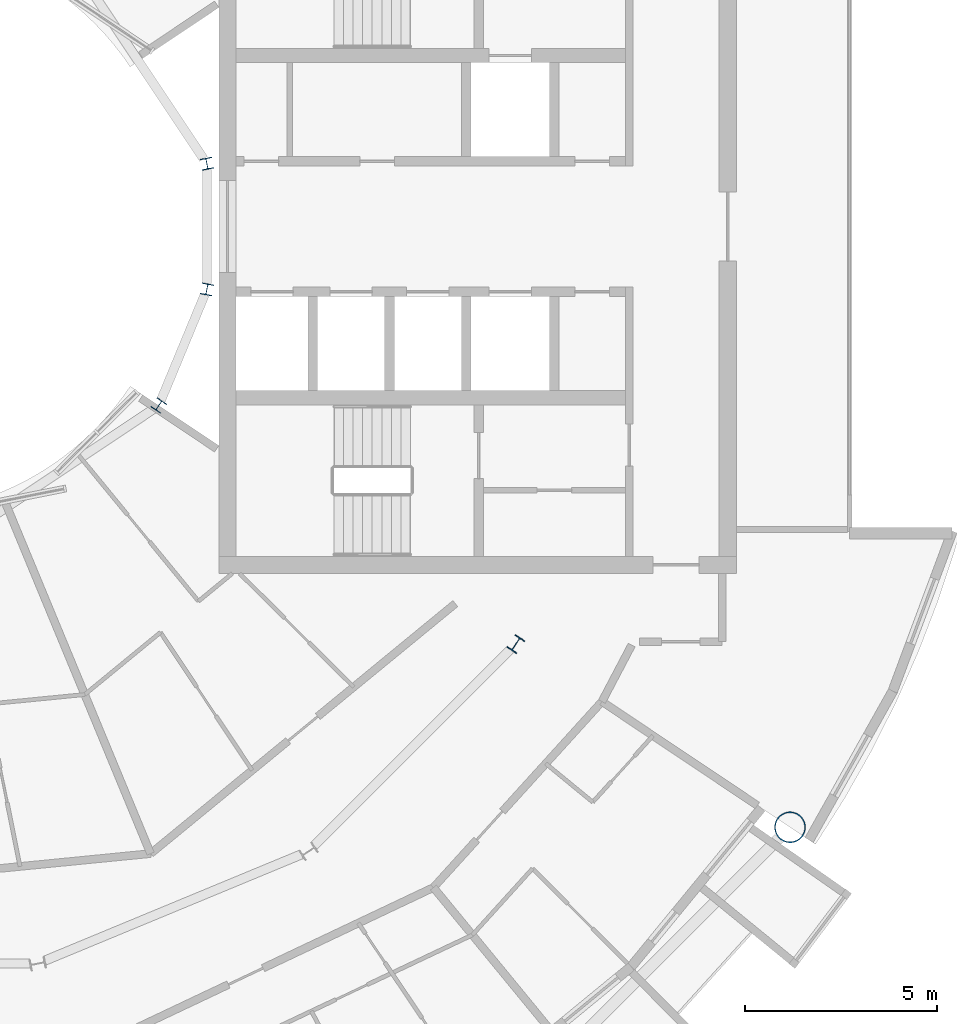
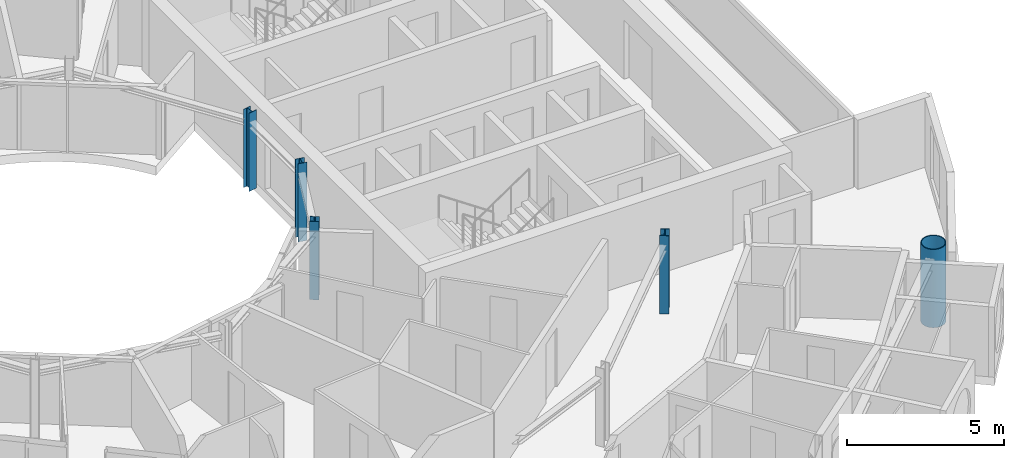
# One storey, part 3 of 29: 5 columns.
"""IFC4 building model written with IfcOpenShell, lengths in metres."""

from ifc_helpers import new_model, si_unit, direction, frame, origin, origin_2d, place, context, subcontext, project, spatial, hollow_circle, i_section, extrude, material, material_profile, profile_set, type_object, element, save


model = new_model("IFC4")

# Units and contexts
model_context = context("Model", 3, precision=1e-05, world=origin(), true_north=direction((0.0, 1.0)))
body_context = subcontext(model_context, "Body", "Model", "MODEL_VIEW")
ifc_project = project(units=[si_unit("LENGTHUNIT", "METRE"), si_unit("AREAUNIT", "SQUARE_METRE"), si_unit("VOLUMEUNIT", "CUBIC_METRE"), si_unit("PLANEANGLEUNIT", "RADIAN"), si_unit("MASSUNIT", "GRAM", prefix="KILO")], contexts=[model_context])

# Site, building, storey
site_placement = place(None, origin())
site = spatial("IfcSite", under=ifc_project, at=site_placement, CompositionType="ELEMENT")
building_placement = place(site_placement, origin())
building = spatial("IfcBuilding", under=site, at=building_placement, Name="Maasbend Ring Residences", CompositionType="ELEMENT")
storey_placement = place(building_placement, frame((0.0, 0.0, 215.75)))
storey = spatial("IfcBuildingStorey", under=building, at=storey_placement, Name="L62", CompositionType="ELEMENT", Elevation=215.75)

# Columns
ifc_material_1 = material(Name="Composite concrete-filled steel tube S460NH / C80/95", Category="concrete")
ifc_material_profile_1 = material_profile(ifc_material_1, hollow_circle(Radius=0.406494140625, WallThickness=0.030029296875, at=origin_2d()), Name="Composite tube column CHS 813x30")
ifc_profile_set_1 = profile_set([ifc_material_profile_1], Name="Composite concrete-filled steel tube S460NH / C80/95")
column_type_1 = type_object("IfcColumnType", Name="Composite tube column CHS 813x30", PredefinedType="COLUMN", material=ifc_profile_set_1)
column_1_placement = place(storey_placement, frame((23.447509765625, -15.6669921875, 0.0), z_axis=(0.0, 0.0, 1.0), x_axis=(1.0, 0.0, 0.0)))
element("IfcColumn", 1, at=column_1_placement, inside=storey, type_object=column_type_1, Name="Outer column R15", PredefinedType="COLUMN", context=body_context, shape_type="SweptSolid", body=[
    extrude(hollow_circle(Radius=0.406494140625, WallThickness=0.030029296875, at=origin_2d()), origin(), (0.0, 0.0, 1.0), 3.050048828125),
])
ifc_material_2 = material(Name="Steel S355J2", Category="steel")
ifc_material_profile_2 = material_profile(ifc_material_2, i_section(OverallWidth=0.300048828125, OverallDepth=0.2900390625, WebThickness=0.008544921875, FlangeThickness=0.013916015625, FilletRadius=0.027099609375, at=origin_2d()), Name="HEA 300")
ifc_profile_set_2 = profile_set([ifc_material_profile_2], Name="Steel S355J2")
column_type_2 = type_object("IfcColumnType", Name="Steel column HEA 300", PredefinedType="COLUMN", material=ifc_profile_set_2)
for number, where, z_axis, x_axis, name in (
    (2, (8.238525390625, 1.638916015625, 0.0), (0.0, 0.0, 1.0), (0.980785280403, 0.195090322016, 0.0), "Well ring column R1"),
    (3, (6.984375, -4.666748046875, 0.0), (0.0, 0.0, 1.0), (0.831469612303, -0.55557023302, 0.0), "Well ring column R15"),
    (4, (8.238525390625, -1.638916015625, 0.0), (0.0, 0.0, 1.0), (0.980785280403, -0.195090322016, 0.0), "Well ring column R16"),
):
    element("IfcColumn", number, at=place(storey_placement, frame(where, z_axis=z_axis, x_axis=x_axis)), inside=storey, type_object=column_type_2, Name=name, PredefinedType="COLUMN", context=body_context, shape_type="SweptSolid", body=[
        extrude(i_section(OverallWidth=0.300048828125, OverallDepth=0.2900390625, WebThickness=0.008544921875, FlangeThickness=0.013916015625, FilletRadius=0.027099609375, at=origin_2d()), origin(), (0.0, 0.0, 1.0), 3.050048828125),
    ])
ifc_material_3 = material(Name="Steel S355J2", Category="steel")
ifc_material_profile_3 = material_profile(ifc_material_3, i_section(OverallWidth=0.300048828125, OverallDepth=0.39990234375, WebThickness=0.013427734375, FlangeThickness=0.02392578125, FilletRadius=0.027099609375, at=origin_2d()), Name="HEB 400")
ifc_profile_set_3 = profile_set([ifc_material_profile_3], Name="Steel S355J2")
column_type_3 = type_object("IfcColumnType", Name="Steel column HEB 400", PredefinedType="COLUMN", material=ifc_profile_set_3)
column_2_placement = place(storey_placement, frame((16.296875, -10.88916015625, 0.0), z_axis=(0.0, 0.0, 1.0), x_axis=(0.831469612303, -0.55557023302, 0.0)))
element("IfcColumn", 5, at=column_2_placement, inside=storey, type_object=column_type_3, Name="Corridor ring column R15", PredefinedType="COLUMN", context=body_context, shape_type="SweptSolid", body=[
    extrude(i_section(OverallWidth=0.300048828125, OverallDepth=0.39990234375, WebThickness=0.013427734375, FlangeThickness=0.02392578125, FilletRadius=0.027099609375, at=origin_2d()), origin(), (0.0, 0.0, 1.0), 3.050048828125),
])

save(model, "model.ifc")
